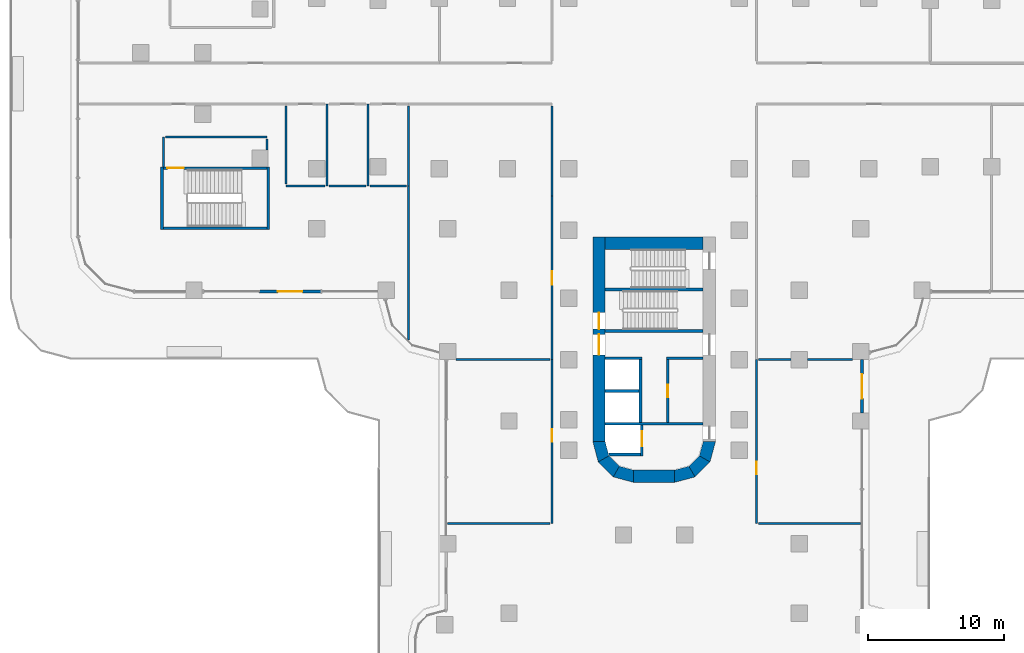
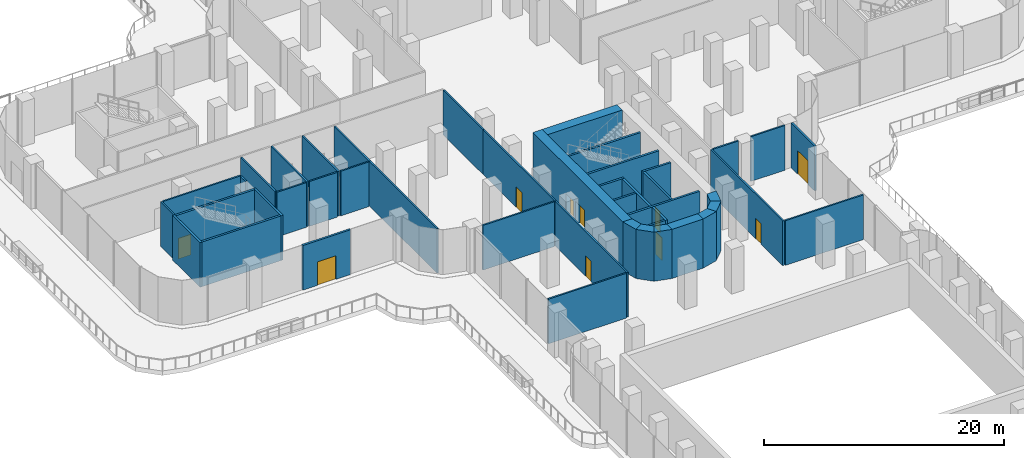
# One storey, part 16 of 27: 45 walls, 10 doors, 10 openings.
"""IFC4 building model written with IfcOpenShell, lengths in metres."""

from ifc_helpers import new_model, si_unit, direction, frame, frame_2d, origin, place, context, subcontext, project, spatial, polyline, rectangle, outline, extrude, material, layer, layer_set, type_object, element, fill, save


model = new_model("IFC4")

# Units and contexts
model_context = context("Model", 3, precision=1e-05, world=origin(), true_north=direction((0.0, 1.0)))
body_context = subcontext(model_context, "Body", "Model", "MODEL_VIEW")
ifc_project = project(units=[si_unit("LENGTHUNIT", "METRE"), si_unit("AREAUNIT", "SQUARE_METRE"), si_unit("VOLUMEUNIT", "CUBIC_METRE"), si_unit("PLANEANGLEUNIT", "RADIAN"), si_unit("MASSUNIT", "GRAM", prefix="KILO")], contexts=[model_context])

# Site, building, storey
site_placement = place(None, origin())
site = spatial("IfcSite", under=ifc_project, at=site_placement, CompositionType="ELEMENT")
building_placement = place(site_placement, origin())
building = spatial("IfcBuilding", under=site, at=building_placement, Name="Zarbagh Exchange Tower", CompositionType="ELEMENT")
storey_placement = place(building_placement, frame((0.0, 0.0, 17.0)))
storey = spatial("IfcBuildingStorey", under=building, at=storey_placement, Name="L03", CompositionType="ELEMENT", Elevation=17.0)

# Walls
ifc_material_1 = material(Name="Plasterboard partition")
ifc_layer_1 = layer(ifc_material_1, 0.14990234375)
ifc_layer_set_1 = layer_set([ifc_layer_1], Name="Board partition 150")
wall_type_1 = type_object("IfcWallType", Name="Board partition 150", PredefinedType="PARTITIONING", material=ifc_layer_set_1)
wall_1_placement = place(storey_placement, frame((-36.0, -6.10009765625, 0.0), z_axis=(0.0, 0.0, 1.0), x_axis=(0.0, 1.0, 0.0)))
element("IfcWall", 1, at=wall_1_placement, inside=storey, type_object=wall_type_1, Name="WL-L03-W006", PredefinedType="PARTITIONING", context=body_context, shape_type="SweptSolid", body=[
    extrude(rectangle(XDim=2.2001953125, YDim=0.14990234375, at=frame_2d((1.10009765625, 0.0))), origin(), (0.0, 0.0, 1.0), 4.550048828125),
])
wall_2_placement = place(storey_placement, frame((-35.85009765625, -3.89990234375, 0.0), z_axis=(0.0, 0.0, 1.0), x_axis=(1.0, 0.0, 0.0)))
element("IfcWall", 2, at=wall_2_placement, inside=storey, type_object=wall_type_1, Name="WL-L03-W007", PredefinedType="PARTITIONING", context=body_context, shape_type="SweptSolid", body=[
    extrude(rectangle(XDim=7.4501953125, YDim=0.14990234375, at=frame_2d((3.72509765625, 0.0))), origin(), (0.0, 0.0, 1.0), 4.550048828125),
])
wall_3_placement = place(storey_placement, frame((-28.39990234375, -4.050048828125, 0.0), z_axis=(0.0, 0.0, 1.0), x_axis=(0.0, -1.0, 0.0)))
element("IfcWall", 3, at=wall_3_placement, inside=storey, type_object=wall_type_1, Name="WL-L03-W008", PredefinedType="PARTITIONING", context=body_context, shape_type="SweptSolid", body=[
    extrude(rectangle(XDim=0.824951171875, YDim=0.14990234375, at=frame_2d((0.41259765625, 0.0))), origin(), (0.0, 0.0, 1.0), 4.550048828125),
])
wall_4_placement = place(storey_placement, frame((-24.0, -1.5, 0.0), z_axis=(0.0, 0.0, 1.0), x_axis=(0.0, -1.0, 0.0)))
element("IfcWall", 4, at=wall_4_placement, inside=storey, type_object=wall_type_1, Name="WL-L03-W015", PredefinedType="PARTITIONING", context=body_context, shape_type="SweptSolid", body=[
    extrude(rectangle(XDim=6.0, YDim=0.14990234375, at=frame_2d((3.0, 0.0))), origin(), (0.0, 0.0, 1.0), 4.550048828125),
])
wall_5_placement = place(storey_placement, frame((-24.14990234375, -7.5, 0.0), z_axis=(0.0, 0.0, 1.0), x_axis=(-1.0, 0.0, 0.0)))
element("IfcWall", 5, at=wall_5_placement, inside=storey, type_object=wall_type_1, Name="WL-L03-W017", PredefinedType="PARTITIONING", context=body_context, shape_type="SweptSolid", body=[
    extrude(rectangle(XDim=2.85009765625, YDim=0.14990234375, at=frame_2d((1.425048828125, 0.0))), origin(), (0.0, 0.0, 1.0), 4.550048828125),
])
wall_6_placement = place(storey_placement, frame((-27.0, -7.35009765625, 0.0), z_axis=(0.0, 0.0, 1.0), x_axis=(0.0, 1.0, 0.0)))
element("IfcWall", 6, at=wall_6_placement, inside=storey, type_object=wall_type_1, Name="WL-L03-W018", PredefinedType="PARTITIONING", context=body_context, shape_type="SweptSolid", body=[
    extrude(rectangle(XDim=5.7001953125, YDim=0.14990234375, at=frame_2d((2.85009765625, 0.0))), origin(), (0.0, 0.0, 1.0), 4.550048828125),
])
wall_7_placement = place(storey_placement, frame((-21.0, -1.5, 0.0), z_axis=(0.0, 0.0, 1.0), x_axis=(0.0, -1.0, 0.0)))
element("IfcWall", 7, at=wall_7_placement, inside=storey, type_object=wall_type_1, Name="WL-L03-W019", PredefinedType="PARTITIONING", context=body_context, shape_type="SweptSolid", body=[
    extrude(rectangle(XDim=6.0, YDim=0.14990234375, at=frame_2d((3.0, 0.0))), origin(), (0.0, 0.0, 1.0), 4.550048828125),
])
wall_8_placement = place(storey_placement, frame((-21.14990234375, -7.5, 0.0), z_axis=(0.0, 0.0, 1.0), x_axis=(-1.0, 0.0, 0.0)))
element("IfcWall", 8, at=wall_8_placement, inside=storey, type_object=wall_type_1, Name="WL-L03-W021", PredefinedType="PARTITIONING", context=body_context, shape_type="SweptSolid", body=[
    extrude(rectangle(XDim=2.7001953125, YDim=0.14990234375, at=frame_2d((1.35009765625, 0.0))), origin(), (0.0, 0.0, 1.0), 4.550048828125),
])
wall_9_placement = place(storey_placement, frame((-18.0, -1.64990234375, 0.0), z_axis=(0.0, 0.0, 1.0), x_axis=(0.0, -1.0, 0.0)))
element("IfcWall", 9, at=wall_9_placement, inside=storey, type_object=wall_type_1, Name="WL-L03-W023", PredefinedType="PARTITIONING", context=body_context, shape_type="SweptSolid", body=[
    extrude(rectangle(XDim=5.85009765625, YDim=0.14990234375, at=frame_2d((2.925048828125, 0.0))), origin(), (0.0, 0.0, 1.0), 4.550048828125),
])
wall_10_placement = place(storey_placement, frame((-18.14990234375, -7.5, 0.0), z_axis=(0.0, 0.0, 1.0), x_axis=(-1.0, 0.0, 0.0)))
element("IfcWall", 10, at=wall_10_placement, inside=storey, type_object=wall_type_1, Name="WL-L03-W024", PredefinedType="PARTITIONING", context=body_context, shape_type="SweptSolid", body=[
    extrude(rectangle(XDim=2.7001953125, YDim=0.14990234375, at=frame_2d((1.35009765625, 0.0))), origin(), (0.0, 0.0, 1.0), 4.550048828125),
])

# Wall, opening, door
wall_11_placement = place(storey_placement, frame((7.5, -20.25, 0.0), z_axis=(0.0, 0.0, 1.0), x_axis=(0.0, -1.0, 0.0)))
wall_11 = element("IfcWall", 11, at=wall_11_placement, inside=storey, type_object=wall_type_1, Name="WL-L03-W030", PredefinedType="PARTITIONING", context=body_context, shape_type="SweptSolid", body=[
    extrude(rectangle(XDim=12.0, YDim=0.14990234375, at=frame_2d((6.0, 0.0))), origin(), (0.0, 0.0, 1.0), 4.550048828125),
])
opening_1_placement = place(wall_11_placement, frame((7.5, 0.0, 0.0)))
opening_1 = element("IfcOpeningElement", 12, at=opening_1_placement, cuts=wall_11, Name="Opening D49", PredefinedType="OPENING", context=body_context, shape_type="SweptSolid", body=[
    extrude(rectangle(XDim=0.89990234375, YDim=2.10009765625, at=frame_2d((0.449951171875, 1.050048828125))), frame((0.0, 0.0849609375, 0.0), z_axis=(0.0, -1.0, 0.0), x_axis=(1.0, 0.0, 0.0)), (0.0, 0.0, 1.0), 0.169921875),
])
ifc_material_2 = material(Name="Timber door leaf", Category="wood")
door_type_1 = type_object("IfcDoorType", Name="Door single 900x2100", OperationType="SINGLE_SWING_LEFT", PredefinedType="DOOR", material=ifc_material_2)
door_1_placement = place(opening_1_placement, origin())
door_1 = element("IfcDoor", 13, at=door_1_placement, inside=storey, type_object=door_type_1, Name="D08", OperationType="SINGLE_SWING_LEFT", OverallHeight=2.10009765625, OverallWidth=0.89990234375, PredefinedType="DOOR", context=body_context, shape_type="SweptSolid", body=[
    extrude(rectangle(XDim=0.89990234375, YDim=2.10009765625, at=frame_2d((0.449951171875, 1.050048828125))), frame((0.0, 0.02490234375, 0.0), z_axis=(0.0, -1.0, 0.0), x_axis=(1.0, 0.0, 0.0)), (0.0, 0.0, 1.0), 0.050048828125),
])
fill(opening_1, door_1)

wall_12_placement = place(storey_placement, frame((-7.5, -20.25, 0.0), z_axis=(0.0, 0.0, 1.0), x_axis=(0.0, 1.0, 0.0)))
wall_12 = element("IfcWall", 14, at=wall_12_placement, inside=storey, type_object=wall_type_1, Name="WL-L03-W031", PredefinedType="PARTITIONING", context=body_context, shape_type="SweptSolid", body=[
    extrude(rectangle(XDim=12.0, YDim=0.14990234375, at=frame_2d((6.0, 0.0))), origin(), (0.0, 0.0, 1.0), 4.550048828125),
])
opening_2_placement = place(wall_12_placement, frame((5.5, 0.0, 0.0)))
opening_2 = element("IfcOpeningElement", 15, at=opening_2_placement, cuts=wall_12, Name="Opening D51", PredefinedType="OPENING", context=body_context, shape_type="SweptSolid", body=[
    extrude(rectangle(XDim=1.0, YDim=2.10009765625, at=frame_2d((0.5, 1.050048828125))), frame((0.0, 0.0849609375, 0.0), z_axis=(0.0, -1.0, 0.0), x_axis=(1.0, 0.0, 0.0)), (0.0, 0.0, 1.0), 0.169921875),
])
door_type_2 = type_object("IfcDoorType", Name="Door single 1000x2100", OperationType="SINGLE_SWING_LEFT", PredefinedType="DOOR", material=ifc_material_2)
door_2_placement = place(opening_2_placement, origin())
door_2 = element("IfcDoor", 16, at=door_2_placement, inside=storey, type_object=door_type_2, Name="D09", OperationType="SINGLE_SWING_LEFT", OverallHeight=2.10009765625, OverallWidth=1.0, PredefinedType="DOOR", context=body_context, shape_type="SweptSolid", body=[
    extrude(rectangle(XDim=1.0, YDim=2.10009765625, at=frame_2d((0.5, 1.050048828125))), frame((0.0, 0.02490234375, 0.0), z_axis=(0.0, -1.0, 0.0), x_axis=(1.0, 0.0, 0.0)), (0.0, 0.0, 1.0), 0.050048828125),
])
fill(opening_2, door_2)

wall_13_placement = place(storey_placement, frame((-7.5, -32.25, 0.0), z_axis=(0.0, 0.0, 1.0), x_axis=(0.0, 1.0, 0.0)))
wall_13 = element("IfcWall", 17, at=wall_13_placement, inside=storey, type_object=wall_type_1, Name="WL-L03-W032", PredefinedType="PARTITIONING", context=body_context, shape_type="SweptSolid", body=[
    extrude(rectangle(XDim=12.0, YDim=0.14990234375, at=frame_2d((6.0, 0.0))), origin(), (0.0, 0.0, 1.0), 4.550048828125),
])
opening_3_placement = place(wall_13_placement, frame((6.0, 0.0, 0.0)))
opening_3 = element("IfcOpeningElement", 18, at=opening_3_placement, cuts=wall_13, Name="Opening D10", PredefinedType="OPENING", context=body_context, shape_type="SweptSolid", body=[
    extrude(rectangle(XDim=0.89990234375, YDim=2.10009765625, at=frame_2d((0.449951171875, 1.050048828125))), frame((0.0, 0.0849609375, 0.0), z_axis=(0.0, -1.0, 0.0), x_axis=(1.0, 0.0, 0.0)), (0.0, 0.0, 1.0), 0.169921875),
])
door_3_placement = place(opening_3_placement, origin())
door_3 = element("IfcDoor", 19, at=door_3_placement, inside=storey, type_object=door_type_1, Name="D10", OperationType="SINGLE_SWING_LEFT", OverallHeight=2.10009765625, OverallWidth=0.89990234375, PredefinedType="DOOR", context=body_context, shape_type="SweptSolid", body=[
    extrude(rectangle(XDim=0.89990234375, YDim=2.10009765625, at=frame_2d((0.449951171875, 1.050048828125))), frame((0.0, 0.02490234375, 0.0), z_axis=(0.0, -1.0, 0.0), x_axis=(1.0, 0.0, 0.0)), (0.0, 0.0, 1.0), 0.050048828125),
])
fill(opening_3, door_3)

# Walls
wall_14_placement = place(storey_placement, frame((14.550048828125, -20.25, 0.0), z_axis=(0.0, 0.0, 1.0), x_axis=(-1.0, 0.0, 0.0)))
element("IfcWall", 20, at=wall_14_placement, inside=storey, type_object=wall_type_1, Name="WL-L03-W058", PredefinedType="PARTITIONING", context=body_context, shape_type="SweptSolid", body=[
    extrude(rectangle(XDim=3.300048828125, YDim=0.14990234375, at=frame_2d((1.64990234375, 0.0))), origin(), (0.0, 0.0, 1.0), 4.550048828125),
])
wall_15_placement = place(storey_placement, frame((10.050048828125, -20.25, 0.0), z_axis=(0.0, 0.0, 1.0), x_axis=(-1.0, 0.0, 0.0)))
element("IfcWall", 21, at=wall_15_placement, inside=storey, type_object=wall_type_1, Name="WL-L03-W059", PredefinedType="PARTITIONING", context=body_context, shape_type="SweptSolid", body=[
    extrude(rectangle(XDim=2.400146484375, YDim=0.14990234375, at=frame_2d((1.2001953125, 0.0))), origin(), (0.0, 0.0, 1.0), 4.550048828125),
])
wall_16_placement = place(storey_placement, frame((15.14990234375, -32.25, 0.0), z_axis=(0.0, 0.0, 1.0), x_axis=(-1.0, 0.0, 0.0)))
element("IfcWall", 22, at=wall_16_placement, inside=storey, type_object=wall_type_1, Name="WL-L03-W061", PredefinedType="PARTITIONING", context=body_context, shape_type="SweptSolid", body=[
    extrude(rectangle(XDim=7.5, YDim=0.14990234375, at=frame_2d((3.75, 0.0))), origin(), (0.0, 0.0, 1.0), 4.550048828125),
])
wall_17_placement = place(storey_placement, frame((-18.0, -18.797119140625, 0.0), z_axis=(0.0, 0.0, 1.0), x_axis=(0.0, 1.0, 0.0)))
element("IfcWall", 23, at=wall_17_placement, inside=storey, type_object=wall_type_1, Name="WL-L03-W062", PredefinedType="PARTITIONING", context=body_context, shape_type="SweptSolid", body=[
    extrude(rectangle(XDim=11.297119140625, YDim=0.14990234375, at=frame_2d((5.6484375, 0.0))), origin(), (0.0, 0.0, 1.0), 4.550048828125),
])
wall_18_placement = place(storey_placement, frame((-7.64990234375, -20.25, 0.0), z_axis=(0.0, 0.0, 1.0), x_axis=(-1.0, 0.0, 0.0)))
element("IfcWall", 24, at=wall_18_placement, inside=storey, type_object=wall_type_1, Name="WL-L03-W063", PredefinedType="PARTITIONING", context=body_context, shape_type="SweptSolid", body=[
    extrude(rectangle(XDim=6.900146484375, YDim=0.14990234375, at=frame_2d((3.4501953125, 0.0))), origin(), (0.0, 0.0, 1.0), 4.550048828125),
])
wall_19_placement = place(storey_placement, frame((-7.5, -1.64990234375, 0.0), z_axis=(0.0, 0.0, 1.0), x_axis=(0.0, -1.0, 0.0)))
element("IfcWall", 25, at=wall_19_placement, inside=storey, type_object=wall_type_1, Name="WL-L03-W064", PredefinedType="PARTITIONING", context=body_context, shape_type="SweptSolid", body=[
    extrude(rectangle(XDim=6.60009765625, YDim=0.14990234375, at=frame_2d((3.300048828125, 0.0))), origin(), (0.0, 0.0, 1.0), 4.550048828125),
])
wall_20_placement = place(storey_placement, frame((-7.64990234375, -32.25, 0.0), z_axis=(0.0, 0.0, 1.0), x_axis=(-1.0, 0.0, 0.0)))
element("IfcWall", 26, at=wall_20_placement, inside=storey, type_object=wall_type_1, Name="WL-L03-W065", PredefinedType="PARTITIONING", context=body_context, shape_type="SweptSolid", body=[
    extrude(rectangle(XDim=7.5, YDim=0.14990234375, at=frame_2d((3.75, 0.0))), origin(), (0.0, 0.0, 1.0), 4.550048828125),
])
ifc_material_3 = material(Name="Concrete C60/75", Category="concrete")
ifc_layer_2 = layer(ifc_material_3, 0.89990234375)
ifc_layer_set_2 = layer_set([ifc_layer_2], Name="RC core corner wall 900 C60/75")
wall_type_2 = type_object("IfcWallType", Name="RC core corner wall 900 C60/75", PredefinedType="SHEAR", material=ifc_layer_set_2)
wall_21_placement = place(storey_placement, origin())
element("IfcWall", 27, at=wall_21_placement, inside=storey, type_object=wall_type_2, Name="CW2 core S corner W", PredefinedType="SHEAR", context=body_context, shape_type="SweptSolid", body=[
    extrude(outline(polyline([(-4.5, -26.25), (-4.09814453125, -27.75), (-3.318603515625, -27.300048828125), (-3.60009765625, -26.25), (-4.5, -26.25)])), origin(), (0.0, 0.0, 1.0), 5.0),
])
wall_22_placement = place(storey_placement, origin())
element("IfcWall", 28, at=wall_22_placement, inside=storey, type_object=wall_type_2, Name="CW2 core S corner W", PredefinedType="SHEAR", context=body_context, shape_type="SweptSolid", body=[
    extrude(outline(polyline([(-4.09814453125, -27.75), (-3.0, -28.84814453125), (-2.550048828125, -28.068603515625), (-3.318603515625, -27.300048828125), (-4.09814453125, -27.75)])), origin(), (0.0, 0.0, 1.0), 5.0),
])
wall_23_placement = place(storey_placement, origin())
element("IfcWall", 29, at=wall_23_placement, inside=storey, type_object=wall_type_2, Name="CW2 core S corner W", PredefinedType="SHEAR", context=body_context, shape_type="SweptSolid", body=[
    extrude(outline(polyline([(-3.0, -28.84814453125), (-1.5, -29.25), (-1.5, -28.35009765625), (-2.550048828125, -28.068603515625), (-3.0, -28.84814453125)])), origin(), (0.0, 0.0, 1.0), 5.0),
])
wall_24_placement = place(storey_placement, origin())
element("IfcWall", 30, at=wall_24_placement, inside=storey, type_object=wall_type_2, Name="CW2 core S corner E", PredefinedType="SHEAR", context=body_context, shape_type="SweptSolid", body=[
    extrude(outline(polyline([(4.5, -26.25), (4.09814453125, -27.75), (3.318603515625, -27.300048828125), (3.60009765625, -26.25), (4.5, -26.25)])), origin(), (0.0, 0.0, 1.0), 5.0),
])
wall_25_placement = place(storey_placement, origin())
element("IfcWall", 31, at=wall_25_placement, inside=storey, type_object=wall_type_2, Name="CW2 core S corner E", PredefinedType="SHEAR", context=body_context, shape_type="SweptSolid", body=[
    extrude(outline(polyline([(4.09814453125, -27.75), (3.0, -28.84814453125), (2.550048828125, -28.068603515625), (3.318603515625, -27.300048828125), (4.09814453125, -27.75)])), origin(), (0.0, 0.0, 1.0), 5.0),
])
wall_26_placement = place(storey_placement, origin())
element("IfcWall", 32, at=wall_26_placement, inside=storey, type_object=wall_type_2, Name="CW2 core S corner E", PredefinedType="SHEAR", context=body_context, shape_type="SweptSolid", body=[
    extrude(outline(polyline([(3.0, -28.84814453125), (1.5, -29.25), (1.5, -28.35009765625), (2.550048828125, -28.068603515625), (3.0, -28.84814453125)])), origin(), (0.0, 0.0, 1.0), 5.0),
])

# Wall, openings, doors
ifc_layer_3 = layer(ifc_material_3, 0.89990234375)
ifc_layer_set_3 = layer_set([ifc_layer_3], Name="RC core wall 900 C60/75")
wall_type_3 = type_object("IfcWallType", Name="RC core wall 900 C60/75", PredefinedType="SHEAR", material=ifc_layer_set_3)
wall_27_placement = place(storey_placement, frame((-4.050048828125, -11.25, 0.0), z_axis=(0.0, 0.0, 1.0), x_axis=(0.0, -1.0, 0.0)))
wall_27 = element("IfcWall", 33, at=wall_27_placement, inside=storey, type_object=wall_type_3, Name="CW1 core S W", PredefinedType="SHEAR", context=body_context, shape_type="SweptSolid", body=[
    extrude(rectangle(XDim=15.0, YDim=0.89990234375, at=frame_2d((7.5, 0.0))), origin(), (0.0, 0.0, 1.0), 5.0),
])
opening_4_placement = place(wall_27_placement, frame((7.14990234375, 0.0, 0.0)))
opening_4 = element("IfcOpeningElement", 34, at=opening_4_placement, cuts=wall_27, Name="Opening CD1-1500", PredefinedType="OPENING", context=body_context, shape_type="SweptSolid", body=[
    extrude(rectangle(XDim=1.5, YDim=2.300048828125, at=frame_2d((0.75, 1.14990234375))), frame((0.0, 0.4599609375, 0.0), z_axis=(0.0, -1.0, 0.0), x_axis=(1.0, 0.0, 0.0)), (0.0, 0.0, 1.0), 0.919921875),
])
opening_5_placement = place(wall_27_placement, frame((5.550048828125, 0.0, 0.0)))
opening_5 = element("IfcOpeningElement", 35, at=opening_5_placement, cuts=wall_27, Name="Opening SD1-1200", PredefinedType="OPENING", context=body_context, shape_type="SweptSolid", body=[
    extrude(rectangle(XDim=1.199951171875, YDim=2.10009765625, at=frame_2d((0.60009765625, 1.050048828125))), frame((0.0, 0.4599609375, 0.0), z_axis=(0.0, -1.0, 0.0), x_axis=(1.0, 0.0, 0.0)), (0.0, 0.0, 1.0), 0.919921875),
])
ifc_material_4 = material(Name="Steel", Category="steel")
door_type_3 = type_object("IfcDoorType", Name="Exit stair door 1200 x 2100", OperationType="NOTDEFINED", PredefinedType="DOOR", material=ifc_material_4)
door_4_placement = place(opening_5_placement, origin())
door_4 = element("IfcDoor", 36, at=door_4_placement, inside=storey, type_object=door_type_3, Name="South core stair door ST1", OperationType="SINGLE_SWING_LEFT", OverallHeight=2.10009765625, OverallWidth=1.199951171875, PredefinedType="DOOR", context=body_context, shape_type="SweptSolid", body=[
    extrude(rectangle(XDim=1.199951171875, YDim=2.10009765625, at=frame_2d((0.60009765625, 1.050048828125))), frame((0.0, 0.02490234375, 0.0), z_axis=(0.0, -1.0, 0.0), x_axis=(1.0, 0.0, 0.0)), (0.0, 0.0, 1.0), 0.050048828125),
])
fill(opening_5, door_4)
door_type_4 = type_object("IfcDoorType", Name="Lift lobby double door 1500 x 2300", OperationType="NOTDEFINED", PredefinedType="DOOR", material=ifc_material_4)
door_5_placement = place(opening_4_placement, origin())
door_5 = element("IfcDoor", 37, at=door_5_placement, inside=storey, type_object=door_type_4, Name="South core lift lobby door LOBBY-E", OperationType="DOUBLE_DOOR_SINGLE_SWING", OverallHeight=2.300048828125, OverallWidth=1.5, PredefinedType="DOOR", context=body_context, shape_type="SweptSolid", body=[
    extrude(rectangle(XDim=1.5, YDim=2.300048828125, at=frame_2d((0.75, 1.14990234375))), frame((0.0, 0.02490234375, 0.0), z_axis=(0.0, -1.0, 0.0), x_axis=(1.0, 0.0, 0.0)), (0.0, 0.0, 1.0), 0.050048828125),
])
fill(opening_4, door_5)

# Walls
wall_28_placement = place(storey_placement, frame((-3.60009765625, -11.699951171875, 0.0), z_axis=(0.0, 0.0, 1.0), x_axis=(1.0, 0.0, 0.0)))
element("IfcWall", 38, at=wall_28_placement, inside=storey, type_object=wall_type_3, Name="CW1 core S inner end", PredefinedType="SHEAR", context=body_context, shape_type="SweptSolid", body=[
    extrude(rectangle(XDim=7.2001953125, YDim=0.89990234375, at=frame_2d((3.60009765625, 0.0))), origin(), (0.0, 0.0, 1.0), 5.0),
])
wall_29_placement = place(storey_placement, frame((-1.5, -28.800048828125, 0.0), z_axis=(0.0, 0.0, 1.0), x_axis=(1.0, 0.0, 0.0)))
element("IfcWall", 39, at=wall_29_placement, inside=storey, type_object=wall_type_3, Name="CW1 core S outer end", PredefinedType="SHEAR", context=body_context, shape_type="SweptSolid", body=[
    extrude(rectangle(XDim=3.0, YDim=0.89990234375, at=frame_2d((1.5, 0.0))), origin(), (0.0, 0.0, 1.0), 5.0),
])
ifc_material_5 = material(Name="Dense blockwork", Category="masonry")
ifc_layer_4 = layer(ifc_material_5, 0.199951171875)
ifc_layer_set_4 = layer_set([ifc_layer_4], Name="Shaft wall 200 mm blockwork")
wall_type_4 = type_object("IfcWallType", Name="Shaft wall 200 mm blockwork", PredefinedType="PARTITIONING", material=ifc_layer_set_4)
wall_30_placement = place(storey_placement, frame((3.60009765625, -20.14990234375, 0.0), z_axis=(0.0, 0.0, 1.0), x_axis=(-1.0, 0.0, 0.0)))
element("IfcWall", 40, at=wall_30_placement, inside=storey, type_object=wall_type_4, Name="South core shaft wall AB-W", PredefinedType="PARTITIONING", context=body_context, shape_type="SweptSolid", body=[
    extrude(rectangle(XDim=2.7001953125, YDim=0.199951171875, at=frame_2d((1.35009765625, 0.0))), origin(), (0.0, 0.0, 1.0), 4.550048828125),
])

# Wall, opening, door
wall_31_placement = place(storey_placement, frame((1.0, -24.85009765625, 0.0), z_axis=(0.0, 0.0, 1.0), x_axis=(0.0, 1.0, 0.0)))
wall_31 = element("IfcWall", 41, at=wall_31_placement, inside=storey, type_object=wall_type_4, Name="South core shaft wall LW-W", PredefinedType="PARTITIONING", context=body_context, shape_type="SweptSolid", body=[
    extrude(rectangle(XDim=4.60009765625, YDim=0.199951171875, at=frame_2d((2.300048828125, 0.0))), origin(), (0.0, 0.0, 1.0), 4.550048828125),
])
opening_6_placement = place(wall_31_placement, frame((1.85009765625, 0.0, 0.0)))
opening_6 = element("IfcOpeningElement", 42, at=opening_6_placement, cuts=wall_31, Name="Opening CD3-900", PredefinedType="OPENING", context=body_context, shape_type="SweptSolid", body=[
    extrude(rectangle(XDim=0.89990234375, YDim=2.10009765625, at=frame_2d((0.449951171875, 1.050048828125))), frame((0.0, 0.10986328125, 0.0), z_axis=(0.0, -1.0, 0.0), x_axis=(1.0, 0.0, 0.0)), (0.0, 0.0, 1.0), 0.219970703125),
])
door_type_5 = type_object("IfcDoorType", Name="Core room door 900 x 2100", OperationType="NOTDEFINED", PredefinedType="DOOR", material=ifc_material_4)
door_6_placement = place(opening_6_placement, origin())
door_6 = element("IfcDoor", 43, at=door_6_placement, inside=storey, type_object=door_type_5, Name="South core Accessible WC door RD-W-0", OperationType="SINGLE_SWING_LEFT", OverallHeight=2.10009765625, OverallWidth=0.89990234375, PredefinedType="DOOR", context=body_context, shape_type="SweptSolid", body=[
    extrude(rectangle(XDim=0.89990234375, YDim=2.10009765625, at=frame_2d((0.449951171875, 1.050048828125))), frame((0.0, 0.02490234375, 0.0), z_axis=(0.0, -1.0, 0.0), x_axis=(1.0, 0.0, 0.0)), (0.0, 0.0, 1.0), 0.050048828125),
])
fill(opening_6, door_6)

# Walls
wall_32_placement = place(storey_placement, frame((-0.89990234375, -20.14990234375, 0.0), z_axis=(0.0, 0.0, 1.0), x_axis=(-1.0, 0.0, 0.0)))
element("IfcWall", 44, at=wall_32_placement, inside=storey, type_object=wall_type_4, Name="South core shaft wall AB-E", PredefinedType="PARTITIONING", context=body_context, shape_type="SweptSolid", body=[
    extrude(rectangle(XDim=2.7001953125, YDim=0.199951171875, at=frame_2d((1.35009765625, 0.0))), origin(), (0.0, 0.0, 1.0), 4.550048828125),
])
wall_33_placement = place(storey_placement, frame((-1.0, -24.85009765625, 0.0), z_axis=(0.0, 0.0, 1.0), x_axis=(0.0, 1.0, 0.0)))
element("IfcWall", 45, at=wall_33_placement, inside=storey, type_object=wall_type_4, Name="South core shaft wall LW-E", PredefinedType="PARTITIONING", context=body_context, shape_type="SweptSolid", body=[
    extrude(rectangle(XDim=4.60009765625, YDim=0.199951171875, at=frame_2d((2.300048828125, 0.0))), origin(), (0.0, 0.0, 1.0), 4.550048828125),
])
wall_34_placement = place(storey_placement, frame((-1.10009765625, -22.550048828125, 0.0), z_axis=(0.0, 0.0, 1.0), x_axis=(-1.0, 0.0, 0.0)))
element("IfcWall", 46, at=wall_34_placement, inside=storey, type_object=wall_type_4, Name="South core shaft wall TR-E", PredefinedType="PARTITIONING", context=body_context, shape_type="SweptSolid", body=[
    extrude(rectangle(XDim=2.5, YDim=0.199951171875, at=frame_2d((1.25, 0.0))), origin(), (0.0, 0.0, 1.0), 4.550048828125),
])
ifc_material_6 = material(Name="Concrete C40/50", Category="concrete")
ifc_layer_5 = layer(ifc_material_6, 0.199951171875)
ifc_layer_set_5 = layer_set([ifc_layer_5], Name="Stair enclosure wall 200 mm RC C40/50")
wall_type_5 = type_object("IfcWallType", Name="Stair enclosure wall 200 mm RC C40/50", PredefinedType="SHEAR", material=ifc_layer_set_5)
wall_35_placement = place(storey_placement, frame((3.60009765625, -24.949951171875, 0.0), z_axis=(0.0, 0.0, 1.0), x_axis=(-1.0, 0.0, 0.0)))
element("IfcWall", 47, at=wall_35_placement, inside=storey, type_object=wall_type_5, Name="South core lift shaft wall FFA", PredefinedType="SHEAR", context=body_context, shape_type="SweptSolid", body=[
    extrude(rectangle(XDim=7.2001953125, YDim=0.199951171875, at=frame_2d((3.60009765625, 0.0))), origin(), (0.0, 0.0, 1.0), 4.550048828125),
])

# Wall, opening, door
wall_36_placement = place(storey_placement, frame((-0.89990234375, -27.300048828125, 0.0), z_axis=(0.0, 0.0, 1.0), x_axis=(0.0, 1.0, 0.0)))
wall_36 = element("IfcWall", 48, at=wall_36_placement, inside=storey, type_object=wall_type_5, Name="South core lift shaft wall FFL", PredefinedType="SHEAR", context=body_context, shape_type="SweptSolid", body=[
    extrude(rectangle(XDim=2.25, YDim=0.199951171875, at=frame_2d((1.125, 0.0))), origin(), (0.0, 0.0, 1.0), 4.550048828125),
])
opening_7_placement = place(wall_36_placement, frame((0.699951171875, 0.0, 0.0)))
opening_7 = element("IfcOpeningElement", 49, at=opening_7_placement, cuts=wall_36, Name="Opening LD-1100", PredefinedType="OPENING", context=body_context, shape_type="SweptSolid", body=[
    extrude(rectangle(XDim=1.10009765625, YDim=2.300048828125, at=frame_2d((0.550048828125, 1.14990234375))), frame((0.0, 0.10986328125, 0.0), z_axis=(0.0, -1.0, 0.0), x_axis=(1.0, 0.0, 0.0)), (0.0, 0.0, 1.0), 0.219970703125),
])
ifc_material_7 = material(Name="Stainless steel", Category="steel")
door_type_6 = type_object("IfcDoorType", Name="Lift landing door 1100 x 2300", OperationType="NOTDEFINED", PredefinedType="DOOR", material=ifc_material_7)
door_7_placement = place(opening_7_placement, origin())
door_7 = element("IfcDoor", 50, at=door_7_placement, inside=storey, type_object=door_type_6, Name="South core lift landing door LD-F", OperationType="DOUBLE_DOOR_SLIDING", OverallHeight=2.300048828125, OverallWidth=1.10009765625, PredefinedType="DOOR", context=body_context, shape_type="SweptSolid", body=[
    extrude(rectangle(XDim=1.10009765625, YDim=2.300048828125, at=frame_2d((0.550048828125, 1.14990234375))), frame((0.0, 0.02490234375, 0.0), z_axis=(0.0, -1.0, 0.0), x_axis=(1.0, 0.0, 0.0)), (0.0, 0.0, 1.0), 0.050048828125),
])
fill(opening_7, door_7)

# Walls
wall_37_placement = place(storey_placement, origin())
element("IfcWall", 51, at=wall_37_placement, inside=storey, type_object=wall_type_5, Name="South core lift shaft wall FFX", PredefinedType="SHEAR", context=body_context, shape_type="SweptSolid", body=[
    extrude(outline(polyline([(-1.0, -27.10009765625), (-3.340576171875, -27.10009765625), (-3.291259765625, -27.2841796875), (-3.275390625, -27.300048828125), (-1.0, -27.300048828125), (-1.0, -27.10009765625)])), origin(), (0.0, 0.0, 1.0), 4.550048828125),
])
for number, where, z_axis, x_axis, name in (
    (52, (3.60009765625, -18.14990234375, 0.0), (0.0, 0.0, 1.0), (-1.0, 0.0, 0.0), "South core stair wall BS"),
    (53, (3.60009765625, -15.10009765625, 0.0), (0.0, 0.0, 1.0), (-1.0, 0.0, 0.0), "South core stair wall ST12"),
):
    element("IfcWall", number, at=place(storey_placement, frame(where, z_axis=z_axis, x_axis=x_axis)), inside=storey, type_object=wall_type_5, Name=name, PredefinedType="SHEAR", context=body_context, shape_type="SweptSolid", body=[
        extrude(rectangle(XDim=7.2001953125, YDim=0.199951171875, at=frame_2d((3.60009765625, 0.0))), origin(), (0.0, 0.0, 1.0), 4.550048828125),
    ])
for number, where, z_axis, x_axis, name in (
    (54, (-36.10009765625, -10.699951171875, 0.0), (0.0, 0.0, 1.0), (0.0, 1.0, 0.0), "Exit stair PS4 enclosure wall W"),
    (55, (-28.300048828125, -10.699951171875, 0.0), (0.0, 0.0, 1.0), (0.0, 1.0, 0.0), "Exit stair PS4 enclosure wall E"),
):
    element("IfcWall", number, at=place(storey_placement, frame(where, z_axis=z_axis, x_axis=x_axis)), inside=storey, type_object=wall_type_5, Name=name, PredefinedType="SHEAR", context=body_context, shape_type="SweptSolid", body=[
        extrude(rectangle(XDim=4.599853515625, YDim=0.199951171875, at=frame_2d((2.2998046875, 0.0))), origin(), (0.0, 0.0, 1.0), 4.550048828125),
    ])
wall_38_placement = place(storey_placement, frame((-36.0, -10.60009765625, 0.0), z_axis=(0.0, 0.0, 1.0), x_axis=(1.0, 0.0, 0.0)))
element("IfcWall", 56, at=wall_38_placement, inside=storey, type_object=wall_type_5, Name="Exit stair PS4 enclosure wall S", PredefinedType="SHEAR", context=body_context, shape_type="SweptSolid", body=[
    extrude(rectangle(XDim=7.60009765625, YDim=0.199951171875, at=frame_2d((3.800048828125, 0.0))), origin(), (0.0, 0.0, 1.0), 4.550048828125),
])

# Wall, opening, door
wall_39_placement = place(storey_placement, frame((-36.0, -6.199951171875, 0.0), z_axis=(0.0, 0.0, 1.0), x_axis=(1.0, 0.0, 0.0)))
wall_39 = element("IfcWall", 57, at=wall_39_placement, inside=storey, type_object=wall_type_5, Name="Exit stair PS4 enclosure wall N", PredefinedType="SHEAR", context=body_context, shape_type="SweptSolid", body=[
    extrude(rectangle(XDim=7.60009765625, YDim=0.199951171875, at=frame_2d((3.800048828125, 0.0))), origin(), (0.0, 0.0, 1.0), 4.550048828125),
])
opening_8_placement = place(wall_39_placement, frame((0.300048828125, 0.0, 0.0)))
opening_8 = element("IfcOpeningElement", 58, at=opening_8_placement, cuts=wall_39, Name="Opening SD1-1200", PredefinedType="OPENING", context=body_context, shape_type="SweptSolid", body=[
    extrude(rectangle(XDim=1.199951171875, YDim=2.10009765625, at=frame_2d((0.60009765625, 1.050048828125))), frame((0.0, 0.10986328125, 0.0), z_axis=(0.0, -1.0, 0.0), x_axis=(1.0, 0.0, 0.0)), (0.0, 0.0, 1.0), 0.219970703125),
])
door_8_placement = place(opening_8_placement, origin())
door_8 = element("IfcDoor", 59, at=door_8_placement, inside=storey, type_object=door_type_3, Name="Exit stair PS4 entry door", OperationType="SINGLE_SWING_RIGHT", OverallHeight=2.10009765625, OverallWidth=1.199951171875, PredefinedType="DOOR", context=body_context, shape_type="SweptSolid", body=[
    extrude(rectangle(XDim=1.199951171875, YDim=2.10009765625, at=frame_2d((0.60009765625, 1.050048828125))), frame((0.0, 0.02490234375, 0.0), z_axis=(0.0, -1.0, 0.0), x_axis=(1.0, 0.0, 0.0)), (0.0, 0.0, 1.0), 0.050048828125),
])
fill(opening_8, door_8)

ifc_material_8 = material(Name="Precast concrete C50/60", Category="concrete")
ifc_layer_6 = layer(ifc_material_8, 0.199951171875)
ifc_layer_set_6 = layer_set([ifc_layer_6], Name="Terrace door wall, precast concrete C50/60")
wall_type_6 = type_object("IfcWallType", Name="Terrace door wall, precast concrete C50/60", PredefinedType="SOLIDWALL", material=ifc_layer_set_6)
wall_40_placement = place(storey_placement, frame((15.25, -24.14990234375, 0.0), z_axis=(0.0, 0.0, 1.0), x_axis=(0.0, 1.0, 0.0)))
wall_40 = element("IfcWall", 60, at=wall_40_placement, inside=storey, type_object=wall_type_6, Name="TW19 door wall", PredefinedType="SOLIDWALL", context=body_context, shape_type="SweptSolid", body=[
    extrude(rectangle(XDim=3.89990234375, YDim=0.199951171875, at=frame_2d((1.949951171875, 0.0))), origin(), (0.0, 0.0, 1.0), 4.550048828125),
])
opening_9_placement = place(wall_40_placement, frame((1.050048828125, 0.0, 0.0)))
opening_9 = element("IfcOpeningElement", 61, at=opening_9_placement, cuts=wall_40, Name="Opening TD03", PredefinedType="OPENING", context=body_context, shape_type="SweptSolid", body=[
    extrude(rectangle(XDim=1.800048828125, YDim=2.39990234375, at=frame_2d((0.89990234375, 1.199951171875))), frame((0.0, 0.10986328125, 0.0), z_axis=(0.0, -1.0, 0.0), x_axis=(1.0, 0.0, 0.0)), (0.0, 0.0, 1.0), 0.219970703125),
])
ifc_material_9 = material(Name="Anodised aluminium and glass", Category="aluminium")
door_type_7 = type_object("IfcDoorType", Name="Terrace door, double leaf, aluminium and glass", OperationType="DOUBLE_DOOR_DOUBLE_SWING", PredefinedType="DOOR", material=ifc_material_9)
door_9_placement = place(opening_9_placement, origin())
door_9 = element("IfcDoor", 62, at=door_9_placement, inside=storey, type_object=door_type_7, Name="TD03 terrace door", OperationType="SINGLE_SWING_LEFT", OverallHeight=2.39990234375, OverallWidth=1.800048828125, PredefinedType="DOOR", context=body_context, shape_type="SweptSolid", body=[
    extrude(rectangle(XDim=1.800048828125, YDim=2.39990234375, at=frame_2d((0.89990234375, 1.199951171875))), frame((0.0, 0.02490234375, 0.0), z_axis=(0.0, -1.0, 0.0), x_axis=(1.0, 0.0, 0.0)), (0.0, 0.0, 1.0), 0.050048828125),
])
fill(opening_9, door_9)

wall_41_placement = place(storey_placement, frame((-28.989990234375, -15.25, 0.0), z_axis=(0.0, 0.0, 1.0), x_axis=(1.0, 0.0, 0.0)))
wall_41 = element("IfcWall", 63, at=wall_41_placement, inside=storey, type_object=wall_type_6, Name="TW25 door wall", PredefinedType="SOLIDWALL", context=body_context, shape_type="SweptSolid", body=[
    extrude(rectangle(XDim=4.580078125, YDim=0.199951171875, at=frame_2d((2.2900390625, 0.0))), origin(), (0.0, 0.0, 1.0), 4.550048828125),
])
opening_10_placement = place(wall_41_placement, frame((1.389892578125, 0.0, 0.0)))
opening_10 = element("IfcOpeningElement", 64, at=opening_10_placement, cuts=wall_41, Name="Opening TD03", PredefinedType="OPENING", context=body_context, shape_type="SweptSolid", body=[
    extrude(rectangle(XDim=1.800048828125, YDim=2.39990234375, at=frame_2d((0.89990234375, 1.199951171875))), frame((0.0, 0.10986328125, 0.0), z_axis=(0.0, -1.0, 0.0), x_axis=(1.0, 0.0, 0.0)), (0.0, 0.0, 1.0), 0.219970703125),
])
door_10_placement = place(opening_10_placement, origin())
door_10 = element("IfcDoor", 65, at=door_10_placement, inside=storey, type_object=door_type_7, Name="TD03 terrace door", OperationType="SINGLE_SWING_LEFT", OverallHeight=2.39990234375, OverallWidth=1.800048828125, PredefinedType="DOOR", context=body_context, shape_type="SweptSolid", body=[
    extrude(rectangle(XDim=1.800048828125, YDim=2.39990234375, at=frame_2d((0.89990234375, 1.199951171875))), frame((0.0, 0.02490234375, 0.0), z_axis=(0.0, -1.0, 0.0), x_axis=(1.0, 0.0, 0.0)), (0.0, 0.0, 1.0), 0.050048828125),
])
fill(opening_10, door_10)

save(model, "model.ifc")
